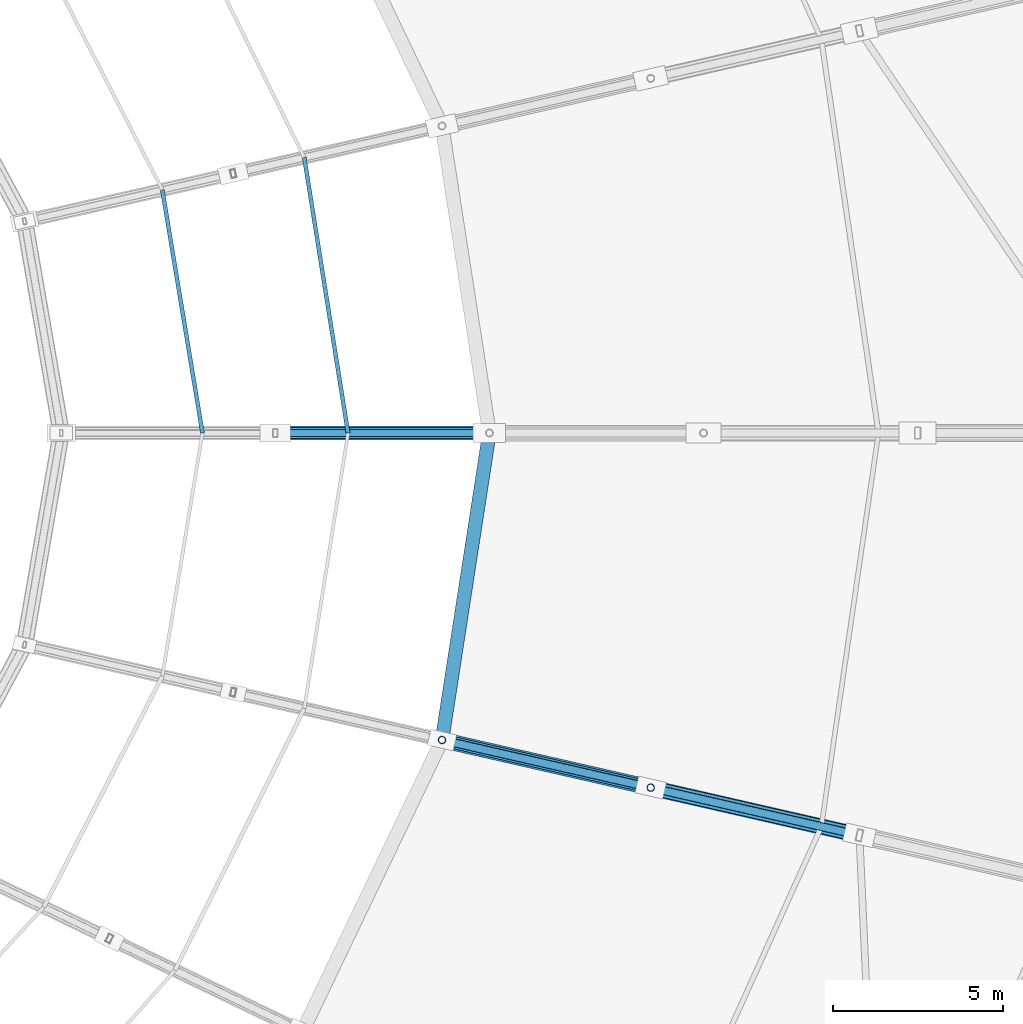
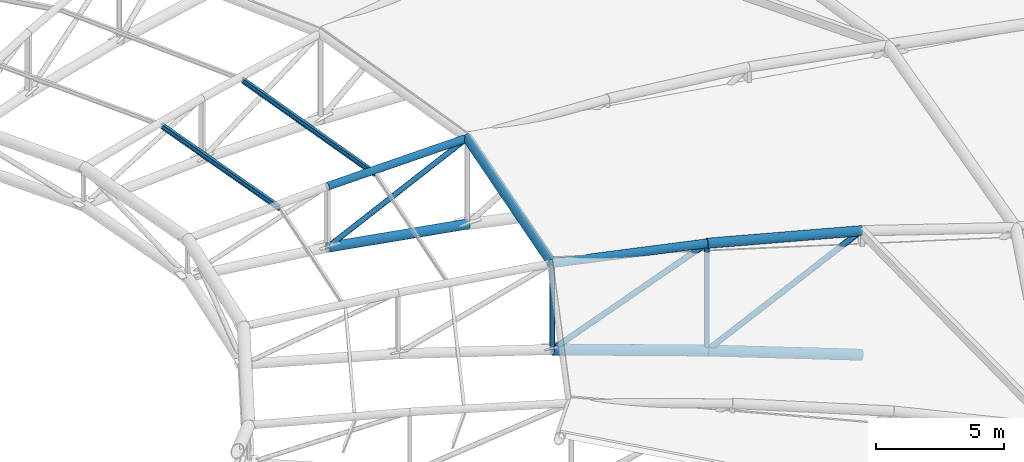
# One storey, part 70 of 108: 14 members.
"""IFC4 building model written with IfcOpenShell, lengths in metres."""

from ifc_helpers import new_model, si_unit, direction, frame, origin, origin_2d, place, context, subcontext, project, spatial, hollow_circle, i_section, extrude, material, material_profile, profile_set, type_object, element, save


model = new_model("IFC4")

# Units and contexts
model_context = context("Model", 3, precision=1e-05, world=origin(), true_north=direction((0.0, 1.0)))
body_context = subcontext(model_context, "Body", "Model", "MODEL_VIEW")
ifc_project = project(units=[si_unit("LENGTHUNIT", "METRE"), si_unit("AREAUNIT", "SQUARE_METRE"), si_unit("VOLUMEUNIT", "CUBIC_METRE"), si_unit("PLANEANGLEUNIT", "RADIAN"), si_unit("MASSUNIT", "GRAM", prefix="KILO")], contexts=[model_context])

# Site, building, storey
site_placement = place(None, origin())
site = spatial("IfcSite", under=ifc_project, at=site_placement, CompositionType="ELEMENT")
building_placement = place(site_placement, origin())
building = spatial("IfcBuilding", under=site, at=building_placement, Name="Zevraka Park Crest Stadium", CompositionType="ELEMENT")
storey_placement = place(building_placement, frame((0.0, 0.0, 29.39990234375)))
storey = spatial("IfcBuildingStorey", under=building, at=storey_placement, Name="RF", CompositionType="ELEMENT", Elevation=29.39990234375)

# Members
ifc_material_1 = material(Name="Steel S355", Category="steel")
ifc_material_profile_1 = material_profile(ifc_material_1, i_section(OverallWidth=0.1201171875, OverallDepth=0.239990234375, WebThickness=0.006103515625, FlangeThickness=0.009765625, at=origin_2d()), Name="IPE 240")
ifc_profile_set_1 = profile_set([ifc_material_profile_1], Name="Steel S355")
member_type_1 = type_object("IfcMemberType", Name="PR01", PredefinedType="PURLIN", material=ifc_profile_set_1)
member_1_placement = place(storey_placement, frame((163.44189453125, 92.0, 9.153076171875), z_axis=(-0.157084730465, 0.987585129219, 0.0), x_axis=(-0.987585129219, -0.157084730465, 0.0)))
element("IfcMember", 1, at=member_1_placement, inside=storey, type_object=member_type_1, Name="Canopy Roof Purlin PR01 INNER-01-1", PredefinedType="PURLIN", context=body_context, shape_type="SweptSolid", body=[
    extrude(i_section(OverallWidth=0.1201171875, OverallDepth=0.239990234375, WebThickness=0.006103515625, FlangeThickness=0.009765625, at=origin_2d()), origin(), (0.0, 0.0, 1.0), 8.2109375),
])
member_2_placement = place(storey_placement, frame((159.157958984375, 92.0, 9.01708984375), z_axis=(-0.162952302603, 0.986633947863, 0.0), x_axis=(-0.986633947863, -0.162952302603, 0.0)))
element("IfcMember", 2, at=member_2_placement, inside=storey, type_object=member_type_1, Name="Canopy Roof Purlin PR01 INNER-01-2", PredefinedType="PURLIN", context=body_context, shape_type="SweptSolid", body=[
    extrude(i_section(OverallWidth=0.1201171875, OverallDepth=0.239990234375, WebThickness=0.006103515625, FlangeThickness=0.009765625, at=origin_2d()), origin(), (0.0, 0.0, 1.0), 7.2529296875),
])
ifc_material_2 = material(Name="Steel S355", Category="steel")
ifc_material_profile_2 = material_profile(ifc_material_2, hollow_circle(Radius=0.228515625, WallThickness=0.02490234375, at=origin_2d()), Name="CHS 457.0x25")
ifc_profile_set_2 = profile_set([ifc_material_profile_2], Name="Steel S355")
member_type_2 = type_object("IfcMemberType", Name="TC02", PredefinedType="CHORD", material=ifc_profile_set_2)
member_3_placement = place(storey_placement, frame((178.489990234375, 80.162109375, 2.4501953125), z_axis=(-0.948417452042, 0.216464464966, 0.231619239421), x_axis=(-0.222515433667, -0.974929167571, 0.0)))
element("IfcMember", 3, at=member_3_placement, inside=storey, type_object=member_type_2, Name="Roof Truss Bottom Chord TC02 T28-4", PredefinedType="CHORD", context=body_context, shape_type="SweptSolid", body=[
    extrude(hollow_circle(Radius=0.228515625, WallThickness=0.02490234375, at=origin_2d()), origin(), (0.0, 0.0, 1.0), 6.47607421875),
])
member_4_placement = place(storey_placement, frame((172.347900390625, 81.56396484375, 3.9501953125), z_axis=(-0.953281562703, 0.217621179576, 0.209512014954), x_axis=(-0.222560675043, -0.974918840686, 0.0)))
element("IfcMember", 4, at=member_4_placement, inside=storey, type_object=member_type_2, Name="Roof Truss Bottom Chord TC02 T28-5", PredefinedType="CHORD", context=body_context, shape_type="SweptSolid", body=[
    extrude(hollow_circle(Radius=0.228515625, WallThickness=0.02490234375, at=origin_2d()), origin(), (0.0, 0.0, 1.0), 6.44287109375),
])
ifc_material_3 = material(Name="Steel S355", Category="steel")
ifc_material_profile_3 = material_profile(ifc_material_3, hollow_circle(Radius=0.203125, WallThickness=0.02001953125, at=origin_2d()), Name="CHS 406.4x20")
ifc_profile_set_3 = profile_set([ifc_material_profile_3], Name="Steel S355")
member_type_3 = type_object("IfcMemberType", Name="TC03", PredefinedType="CHORD", material=ifc_profile_set_3)
member_5_placement = place(storey_placement, frame((167.60009765625, 92.0, 5.300048828125), z_axis=(-0.985094409339, 0.0, 0.172014547897), x_axis=(0.0, -1.0, 0.0)))
element("IfcMember", 5, at=member_5_placement, inside=storey, type_object=member_type_3, Name="Roof Truss Bottom Chord TC03 T01-6", PredefinedType="CHORD", context=body_context, shape_type="SweptSolid", body=[
    extrude(hollow_circle(Radius=0.203125, WallThickness=0.02001953125, at=origin_2d()), origin(), (0.0, 0.0, 1.0), 6.395263671875),
])
member_6_placement = place(storey_placement, frame((178.489990234375, 80.162109375, 8.35009765625), z_axis=(-0.968967135764, 0.221154674201, 0.110423276025), x_axis=(-0.222515433667, -0.974929167571, 0.0)))
element("IfcMember", 6, at=member_6_placement, inside=storey, type_object=member_type_3, Name="Roof Truss Top Chord TC03 T28-4", PredefinedType="CHORD", context=body_context, shape_type="SweptSolid", body=[
    extrude(hollow_circle(Radius=0.203125, WallThickness=0.02001953125, at=origin_2d()), origin(), (0.0, 0.0, 1.0), 6.3388671875),
])
member_7_placement = place(storey_placement, frame((166.2060546875, 82.966064453125, 9.400146484375), z_axis=(0.152506739427, 0.98830243065, 0.0), x_axis=(-0.98830243065, 0.152506739427, 0.0)))
element("IfcMember", 7, at=member_7_placement, inside=storey, type_object=member_type_3, Name="Roof Canopy Arch Crown Ring Chord TC03 28", PredefinedType="CHORD", context=body_context, shape_type="SweptSolid", body=[
    extrude(hollow_circle(Radius=0.203125, WallThickness=0.02001953125, at=origin_2d()), origin(), (0.0, 0.0, 1.0), 9.140869140625),
])
ifc_material_4 = material(Name="Steel S355", Category="steel")
ifc_material_profile_4 = material_profile(ifc_material_4, hollow_circle(Radius=0.161865234375, WallThickness=0.01611328125, at=origin_2d()), Name="CHS 323.9x16")
ifc_profile_set_4 = profile_set([ifc_material_profile_4], Name="Steel S355")
member_type_4 = type_object("IfcMemberType", Name="TC04", PredefinedType="CHORD", material=ifc_profile_set_4)
member_8_placement = place(storey_placement, frame((167.60009765625, 92.0, 9.400146484375), z_axis=(-0.999873803365, 0.0, -0.01588638866), x_axis=(0.0, -1.0, 0.0)))
element("IfcMember", 8, at=member_8_placement, inside=storey, type_object=member_type_4, Name="Roof Truss Top Chord TC04 T01-6", PredefinedType="CHORD", context=body_context, shape_type="SweptSolid", body=[
    extrude(hollow_circle(Radius=0.161865234375, WallThickness=0.01611328125, at=origin_2d()), origin(), (0.0, 0.0, 1.0), 6.30078125),
])
ifc_material_5 = material(Name="Steel S355", Category="steel")
ifc_material_profile_5 = material_profile(ifc_material_5, hollow_circle(Radius=0.177734375, WallThickness=0.01611328125, at=origin_2d()), Name="CHS 355.6x16")
ifc_profile_set_5 = profile_set([ifc_material_profile_5], Name="Steel S355")
member_type_5 = type_object("IfcMemberType", Name="TC05", PredefinedType="CHORD", material=ifc_profile_set_5)
member_9_placement = place(storey_placement, frame((172.347900390625, 81.56396484375, 9.050048828125), z_axis=(-0.973416904436, 0.222217803481, 0.05548673693), x_axis=(-0.222560675043, -0.974918840686, 0.0)))
element("IfcMember", 9, at=member_9_placement, inside=storey, type_object=member_type_5, Name="Roof Truss Top Chord TC05 T28-5", PredefinedType="CHORD", context=body_context, shape_type="SweptSolid", body=[
    extrude(hollow_circle(Radius=0.177734375, WallThickness=0.01611328125, at=origin_2d()), origin(), (0.0, 0.0, 1.0), 6.3095703125),
])
ifc_material_6 = material(Name="Steel S355", Category="steel")
ifc_material_profile_6 = material_profile(ifc_material_6, hollow_circle(Radius=0.109619140625, WallThickness=0.010009765625, at=origin_2d()), Name="CHS 219.1x10")
ifc_profile_set_6 = profile_set([ifc_material_profile_6], Name="Steel S355")
member_type_6 = type_object("IfcMemberType", Name="WB02", PredefinedType="BRACE", material=ifc_profile_set_6)
member_10_placement = place(storey_placement, frame((161.300048828125, 92.0, 6.400146484375), z_axis=(0.902861812271, 0.0, 0.429930864142), x_axis=(0.0, 1.0, 0.0)))
element("IfcMember", 10, at=member_10_placement, inside=storey, type_object=member_type_6, Name="Roof Truss Web Diagonal WB02 T01-6", PredefinedType="BRACE", context=body_context, shape_type="SweptSolid", body=[
    extrude(hollow_circle(Radius=0.109619140625, WallThickness=0.010009765625, at=origin_2d()), origin(), (0.0, 0.0, 1.0), 6.977783203125),
])
member_11_placement = place(storey_placement, frame((172.347900390625, 81.56396484375, 3.9501953125), z_axis=(0.0, 0.0, 1.0), x_axis=(-0.974916814618, 0.222569549971, 0.0)))
element("IfcMember", 11, at=member_11_placement, inside=storey, type_object=member_type_6, Name="Roof Truss Web Post WB02 T28-4", PredefinedType="BRACE", context=body_context, shape_type="SweptSolid", body=[
    extrude(hollow_circle(Radius=0.109619140625, WallThickness=0.010009765625, at=origin_2d()), origin(), (0.0, 0.0, 1.0), 5.099853515625),
])
member_12_placement = place(storey_placement, frame((166.2060546875, 82.966064453125, 5.300048828125), z_axis=(0.0, 0.0, 1.0), x_axis=(-0.974916814618, 0.222569549971, 0.0)))
element("IfcMember", 12, at=member_12_placement, inside=storey, type_object=member_type_6, Name="Roof Truss Web Post WB02 T28-5", PredefinedType="BRACE", context=body_context, shape_type="SweptSolid", body=[
    extrude(hollow_circle(Radius=0.109619140625, WallThickness=0.010009765625, at=origin_2d()), origin(), (0.0, 0.0, 1.0), 4.10009765625),
])
ifc_material_7 = material(Name="Steel S355", Category="steel")
ifc_material_profile_7 = material_profile(ifc_material_7, hollow_circle(Radius=0.122314453125, WallThickness=0.012451171875, at=origin_2d()), Name="CHS 244.5x12.5")
ifc_profile_set_7 = profile_set([ifc_material_profile_7], Name="Steel S355")
member_type_7 = type_object("IfcMemberType", Name="WB07", PredefinedType="BRACE", material=ifc_profile_set_7)
member_13_placement = place(storey_placement, frame((172.347900390625, 81.56396484375, 3.9501953125), z_axis=(0.799296035547, -0.18242935989, 0.572577834193), x_axis=(0.222515433667, 0.974929167571, 0.0)))
element("IfcMember", 13, at=member_13_placement, inside=storey, type_object=member_type_7, Name="Roof Truss Web Diagonal WB07 T28-4", PredefinedType="BRACE", context=body_context, shape_type="SweptSolid", body=[
    extrude(hollow_circle(Radius=0.122314453125, WallThickness=0.012451171875, at=origin_2d()), origin(), (0.0, 0.0, 1.0), 7.684326171875),
])
member_14_placement = place(storey_placement, frame((166.2060546875, 82.966064453125, 5.300048828125), z_axis=(0.837735720083, -0.191243639561, 0.511492652561), x_axis=(0.222560675043, 0.974918840686, 0.0)))
element("IfcMember", 14, at=member_14_placement, inside=storey, type_object=member_type_7, Name="Roof Truss Web Diagonal WB07 T28-5", PredefinedType="BRACE", context=body_context, shape_type="SweptSolid", body=[
    extrude(hollow_circle(Radius=0.122314453125, WallThickness=0.012451171875, at=origin_2d()), origin(), (0.0, 0.0, 1.0), 7.33154296875),
])

save(model, "model.ifc")
